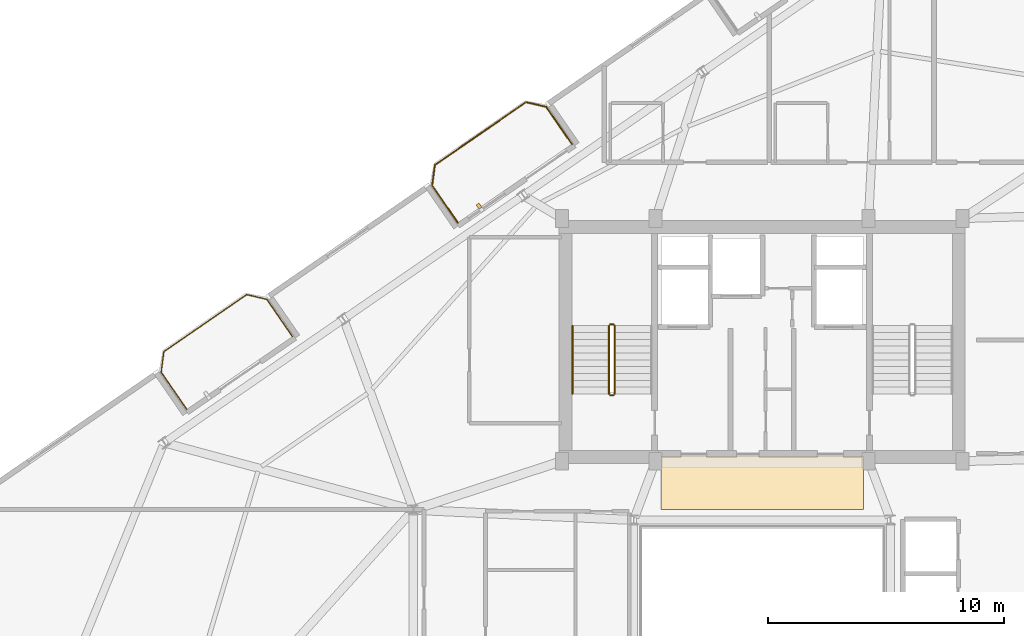
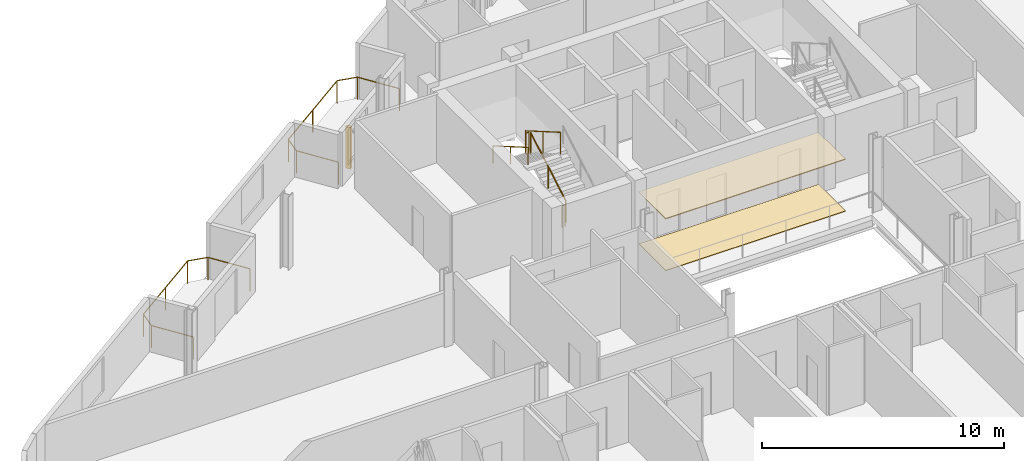
# One storey, part 21 of 22: 7 railings, 2 coverings, 1 shading device.
"""IFC4 building model written with IfcOpenShell, lengths in metres."""

from ifc_helpers import new_model, si_unit, direction, frame, origin, origin_2d, place, context, subcontext, project, spatial, rectangle, circle, extrude, source, transform, mapped, material, layer, layer_set, type_object, element, save


model = new_model("IFC4")

# Units and contexts
model_context = context("Model", 3, precision=1e-05, world=origin(), true_north=direction((0.0, 1.0)))
body_context = subcontext(model_context, "Body", "Model", "MODEL_VIEW")
ifc_project = project(units=[si_unit("LENGTHUNIT", "METRE"), si_unit("AREAUNIT", "SQUARE_METRE"), si_unit("VOLUMEUNIT", "CUBIC_METRE"), si_unit("PLANEANGLEUNIT", "RADIAN"), si_unit("MASSUNIT", "GRAM", prefix="KILO")], contexts=[model_context])

# Site, building, storey
site_placement = place(None, origin())
site = spatial("IfcSite", under=ifc_project, at=site_placement, CompositionType="ELEMENT")
building_placement = place(site_placement, origin())
building = spatial("IfcBuilding", under=site, at=building_placement, Name="Varnelok Gate Tower", CompositionType="ELEMENT")
storey_placement = place(building_placement, frame((0.0, 0.0, 280.39990234375)))
storey = spatial("IfcBuildingStorey", under=building, at=storey_placement, Name="L72", CompositionType="ELEMENT", Elevation=280.39990234375)

# Railings
ifc_material_1 = material(Name="Low-E Laminated Double Glazing IGU", Category="glass")
railing_type_1 = type_object("IfcRailingType", Name="RL-BALC-1150", PredefinedType="BALUSTRADE", material=ifc_material_1)
railing_1_placement = place(storey_placement, frame((14.781982421875, 30.944580078125, 0.0)))
element("IfcRailing", 1, at=railing_1_placement, inside=storey, type_object=railing_type_1, Name="L72 North Terrace Balustrade 4", PredefinedType="BALUSTRADE", context=body_context, shape_type="SweptSolid", body=[
    extrude(circle(Radius=0.02392578125, at=origin_2d()), frame((0.0, 0.0, 1.1259765625), z_axis=(-0.567284155424, 0.82352212296, 0.0), x_axis=(-0.82352212296, -0.567284155424, 0.0)), (0.0, 0.0, 1.0), 1.919921875),
    extrude(circle(Radius=0.02392578125, at=origin_2d()), frame((-1.089111328125, 1.5810546875, 1.1259765625), z_axis=(0.133475040405, 0.991052175008, 0.0), x_axis=(-0.991052175008, 0.133475040405, 0.0)), (0.0, 0.0, 1.0), 0.8779296875),
    extrude(circle(Radius=0.02392578125, at=origin_2d()), frame((-0.971923828125, 2.451171875, 1.1259765625), z_axis=(0.82355749358, 0.567232804735, 0.0), x_axis=(-0.567232804735, 0.82355749358, 0.0)), (0.0, 0.0, 1.0), 4.26708984375),
    extrude(circle(Radius=0.02392578125, at=origin_2d()), frame((2.542236328125, 4.87158203125, 1.1259765625), z_axis=(0.973511928193, -0.228636229993, 0.0), x_axis=(0.228636229993, 0.973511928193, 0.0)), (0.0, 0.0, 1.0), 0.877685546875),
    extrude(circle(Radius=0.02392578125, at=origin_2d()), frame((3.396728515625, 4.6708984375, 1.1259765625), z_axis=(0.567284155424, -0.82352212296, 0.0), x_axis=(0.82352212296, 0.567284155424, 0.0)), (0.0, 0.0, 1.0), 1.919921875),
    extrude(circle(Radius=0.02099609375, at=origin_2d()), origin(), (0.0, 0.0, 1.0), 1.101806640625),
    extrude(circle(Radius=0.02099609375, at=origin_2d()), frame((-1.089111328125, 1.5810546875, 0.0)), (0.0, 0.0, 1.0), 1.101806640625),
    extrude(circle(Radius=0.02099609375, at=origin_2d()), frame((-0.971923828125, 2.451171875, 0.0)), (0.0, 0.0, 1.0), 1.101806640625),
    extrude(circle(Radius=0.02099609375, at=origin_2d()), frame((0.78515625, 3.661376953125, 0.0)), (0.0, 0.0, 1.0), 1.101806640625),
    extrude(circle(Radius=0.02099609375, at=origin_2d()), frame((2.542236328125, 4.87158203125, 0.0)), (0.0, 0.0, 1.0), 1.101806640625),
    extrude(circle(Radius=0.02099609375, at=origin_2d()), frame((3.396728515625, 4.6708984375, 0.0)), (0.0, 0.0, 1.0), 1.101806640625),
    extrude(circle(Radius=0.02099609375, at=origin_2d()), frame((4.48583984375, 3.08984375, 0.0)), (0.0, 0.0, 1.0), 1.101806640625),
])
railing_2_placement = place(storey_placement, frame((26.2841796875, 38.86767578125, 0.0)))
element("IfcRailing", 2, at=railing_2_placement, inside=storey, type_object=railing_type_1, Name="L72 North Terrace Balustrade 5", PredefinedType="BALUSTRADE", context=body_context, shape_type="SweptSolid", body=[
    extrude(circle(Radius=0.02392578125, at=origin_2d()), frame((0.0, 0.0, 1.1259765625), z_axis=(-0.567197904061, 0.82358153065, 0.0), x_axis=(-0.82358153065, -0.567197904061, 0.0)), (0.0, 0.0, 1.0), 1.919677734375),
    extrude(circle(Radius=0.02392578125, at=origin_2d()), frame((-1.0888671875, 1.5810546875, 1.1259765625), z_axis=(0.133238627421, 0.991083986433, 0.0), x_axis=(-0.991083986433, 0.133238627421, 0.0)), (0.0, 0.0, 1.0), 0.877685546875),
    extrude(circle(Radius=0.02392578125, at=origin_2d()), frame((-0.971923828125, 2.450927734375, 1.1259765625), z_axis=(0.823523239622, 0.567282534371, 0.0), x_axis=(-0.567282534371, 0.823523239622, 0.0)), (0.0, 0.0, 1.0), 4.699951171875),
    extrude(circle(Radius=0.02392578125, at=origin_2d()), frame((2.898681640625, 5.1171875, 1.1259765625), z_axis=(0.973526462254, -0.228574336467, 0.0), x_axis=(0.228574336467, 0.973526462254, 0.0)), (0.0, 0.0, 1.0), 0.8779296875),
    extrude(circle(Radius=0.02392578125, at=origin_2d()), frame((3.75341796875, 4.91650390625, 1.1259765625), z_axis=(0.567284155424, -0.82352212296, 0.0), x_axis=(0.82352212296, 0.567284155424, 0.0)), (0.0, 0.0, 1.0), 1.919921875),
    extrude(circle(Radius=0.02099609375, at=origin_2d()), origin(), (0.0, 0.0, 1.0), 1.101806640625),
    extrude(circle(Radius=0.02099609375, at=origin_2d()), frame((-1.0888671875, 1.5810546875, 0.0)), (0.0, 0.0, 1.0), 1.101806640625),
    extrude(circle(Radius=0.02099609375, at=origin_2d()), frame((-0.971923828125, 2.450927734375, 0.0)), (0.0, 0.0, 1.0), 1.101806640625),
    extrude(circle(Radius=0.02099609375, at=origin_2d()), frame((0.96337890625, 3.7841796875, 0.0)), (0.0, 0.0, 1.0), 1.101806640625),
    extrude(circle(Radius=0.02099609375, at=origin_2d()), frame((2.898681640625, 5.1171875, 0.0)), (0.0, 0.0, 1.0), 1.101806640625),
    extrude(circle(Radius=0.02099609375, at=origin_2d()), frame((3.75341796875, 4.91650390625, 0.0)), (0.0, 0.0, 1.0), 1.101806640625),
    extrude(circle(Radius=0.02099609375, at=origin_2d()), frame((4.842529296875, 3.33544921875, 0.0)), (0.0, 0.0, 1.0), 1.101806640625),
])
ifc_material_2 = material(Name="Brushed Stainless Steel AISI 316", Category="steel")
railing_type_2 = type_object("IfcRailingType", Name="RL-HANDRAIL-900", PredefinedType="HANDRAIL", material=ifc_material_2)
railing_3_placement = place(storey_placement, frame((31.14990234375, 34.5, 2.018310546875)))
element("IfcRailing", 3, at=railing_3_placement, inside=storey, type_object=railing_type_2, Name="L72 ST-1 stair handrail 2", PredefinedType="HANDRAIL", context=body_context, shape_type="SweptSolid", body=[
    extrude(circle(Radius=0.02392578125, at=origin_2d()), frame((0.0, 0.0, 0.8759765625), z_axis=(0.0, -0.865038774852, 0.501705010941), x_axis=(1.0, 0.0, 0.0)), (0.0, 0.0, 1.0), 3.352294921875),
    extrude(circle(Radius=0.02099609375, at=origin_2d()), origin(), (0.0, 0.0, 1.0), 0.851806640625),
    extrude(circle(Radius=0.02099609375, at=origin_2d()), frame((0.0, -1.449951171875, 0.8408203125)), (0.0, 0.0, 1.0), 0.851806640625),
    extrude(circle(Radius=0.02099609375, at=origin_2d()), frame((0.0, -2.89990234375, 1.681884765625)), (0.0, 0.0, 1.0), 0.851806640625),
])
ifc_material_3 = material(Name="Galvanized Steel Grade S350GD", Category="steel")
railing_type_3 = type_object("IfcRailingType", Name="RL-STAIR-GUARD1120", PredefinedType="GUARDRAIL", material=ifc_material_3)
railing_4_placement = place(storey_placement, frame((32.949951171875, 31.60009765625, 0.168212890625)))
element("IfcRailing", 4, at=railing_4_placement, inside=storey, type_object=railing_type_3, Name="L72 ST-1 stair guard 1", PredefinedType="GUARDRAIL", context=body_context, shape_type="SweptSolid", body=[
    extrude(circle(Radius=0.02392578125, at=origin_2d()), frame((0.0, 0.0, 1.09619140625), z_axis=(0.0, 0.865038774852, 0.501705010941), x_axis=(-1.0, 0.0, 0.0)), (0.0, 0.0, 1.0), 3.352294921875),
    extrude(circle(Radius=0.02099609375, at=origin_2d()), origin(), (0.0, 0.0, 1.0), 1.072021484375),
    extrude(circle(Radius=0.02099609375, at=origin_2d()), frame((0.0, 1.449951171875, 0.8408203125)), (0.0, 0.0, 1.0), 1.072021484375),
    extrude(circle(Radius=0.02099609375, at=origin_2d()), frame((0.0, 2.89990234375, 1.681884765625)), (0.0, 0.0, 1.0), 1.072021484375),
])
railing_5_placement = place(storey_placement, frame((32.89990234375, 34.550048828125, 1.85009765625)))
element("IfcRailing", 5, at=railing_5_placement, inside=storey, type_object=railing_type_3, Name="L72 ST-1 stair guard 2", PredefinedType="GUARDRAIL", context=body_context, shape_type="SweptSolid", body=[
    extrude(circle(Radius=0.02392578125, at=origin_2d()), frame((0.0, 0.0, 1.09619140625), z_axis=(-1.0, 0.0, 0.0), x_axis=(0.0, -1.0, 0.0)), (0.0, 0.0, 1.0), 0.14990234375),
    extrude(circle(Radius=0.02099609375, at=origin_2d()), origin(), (0.0, 0.0, 1.0), 1.072021484375),
    extrude(circle(Radius=0.02099609375, at=origin_2d()), frame((-0.14990234375, 0.0, 0.0)), (0.0, 0.0, 1.0), 1.072021484375),
])
railing_6_placement = place(storey_placement, frame((32.699951171875, 34.5, 2.018310546875)))
element("IfcRailing", 6, at=railing_6_placement, inside=storey, type_object=railing_type_3, Name="L72 ST-1 stair guard 3", PredefinedType="GUARDRAIL", context=body_context, shape_type="SweptSolid", body=[
    extrude(circle(Radius=0.02392578125, at=origin_2d()), frame((0.0, 0.0, 1.09619140625), z_axis=(0.0, -0.865038774852, 0.501705010941), x_axis=(1.0, 0.0, 0.0)), (0.0, 0.0, 1.0), 3.352294921875),
    extrude(circle(Radius=0.02099609375, at=origin_2d()), origin(), (0.0, 0.0, 1.0), 1.072021484375),
    extrude(circle(Radius=0.02099609375, at=origin_2d()), frame((0.0, -1.449951171875, 0.8408203125)), (0.0, 0.0, 1.0), 1.072021484375),
    extrude(circle(Radius=0.02099609375, at=origin_2d()), frame((0.0, -2.89990234375, 1.681884765625)), (0.0, 0.0, 1.0), 1.072021484375),
])
railing_7_placement = place(storey_placement, frame((32.89990234375, 31.550048828125, 0.0)))
element("IfcRailing", 7, at=railing_7_placement, inside=storey, type_object=railing_type_3, Name="L72 ST-1 stair guard 4", PredefinedType="GUARDRAIL", context=body_context, shape_type="SweptSolid", body=[
    extrude(circle(Radius=0.02392578125, at=origin_2d()), frame((0.0, 0.0, 1.09619140625), z_axis=(-1.0, 0.0, 0.0), x_axis=(0.0, -1.0, 0.0)), (0.0, 0.0, 1.0), 0.14990234375),
    extrude(circle(Radius=0.02099609375, at=origin_2d()), origin(), (0.0, 0.0, 1.0), 1.072021484375),
    extrude(circle(Radius=0.02099609375, at=origin_2d()), frame((-0.14990234375, 0.0, 0.0)), (0.0, 0.0, 1.0), 1.072021484375),
])

# Shading device
ifc_material_4 = material(Name="Glazed Architectural Terracotta Ceramic", Category="masonry")
shading_device_type = type_object("IfcShadingDeviceType", Name="SHD-TERRA-BAGUETTE", PredefinedType="USERDEFINED", material=ifc_material_4)
shared_shape_1 = source(origin(), body_context, "Body", "SweptSolid", [
    extrude(rectangle(XDim=0.139892578125, YDim=0.219970703125, at=origin_2d()), origin(), (0.0, 0.0, 1.0), 2.10009765625),
])
shading_device_placement = place(storey_placement, frame((27.18359375, 39.572021484375, 0.10009765625), z_axis=(0.0, 0.0, 1.0), x_axis=(0.823532597628, 0.567268949127, 0.0)))
element("IfcShadingDevice", 8, at=shading_device_placement, inside=storey, type_object=shading_device_type, Name="L72 Terracotta Ceramic Baguette Sunscreen 5.1", ObjectType="BAGUETTE", PredefinedType="USERDEFINED", context=body_context, shape_type="MappedRepresentation", body=[
    mapped(shared_shape_1, transform((0.0, 0.0, 0.0), scale=1.0)),
])

# Coverings
ifc_material_5 = material(Name="Honed Travertine Stone Flooring", Category="masonry")
ifc_layer_1 = layer(ifc_material_5, 0.02490234375)
ifc_layer_set_1 = layer_set([ifc_layer_1], Name="Honed Travertine Stone Flooring")
covering_type_1 = type_object("IfcCoveringType", Name="COV-FLOR-STONE", PredefinedType="FLOORING", material=ifc_layer_set_1)
shared_shape_2 = source(origin(), body_context, "Body", "SweptSolid", [
    extrude(rectangle(XDim=8.60009765625, YDim=2.219970703125, at=origin_2d()), origin(), (0.0, 0.0, 1.0), 0.02490234375),
])
covering_1_placement = place(storey_placement, frame((39.199951171875, 27.800048828125, 0.000244140625), z_axis=(0.0, 0.0, 1.0), x_axis=(1.0, 0.0, 0.0)))
element("IfcCovering", 9, at=covering_1_placement, inside=storey, type_object=covering_type_1, Name="L72 Core Gallery Stone Flooring", PredefinedType="FLOORING", context=body_context, shape_type="MappedRepresentation", body=[
    mapped(shared_shape_2, transform((0.0, 0.0, 0.0), scale=1.0)),
])
ifc_material_6 = material(Name="Mineral Fiber Acoustic Ceiling Tile")
ifc_layer_2 = layer(ifc_material_6, 0.0400390625)
ifc_layer_set_2 = layer_set([ifc_layer_2], Name="Mineral Fiber Acoustic Ceiling Tile")
covering_type_2 = type_object("IfcCoveringType", Name="COV-CEIL-ACOUST", PredefinedType="CEILING", material=ifc_layer_set_2)
shared_shape_3 = source(origin(), body_context, "Body", "SweptSolid", [
    extrude(rectangle(XDim=8.60009765625, YDim=2.239990234375, at=origin_2d()), origin(), (0.0, 0.0, 1.0), 0.0400390625),
])
covering_2_placement = place(storey_placement, frame((39.199951171875, 27.820068359375, 2.60009765625), z_axis=(0.0, 0.0, 1.0), x_axis=(1.0, 0.0, 0.0)))
element("IfcCovering", 10, at=covering_2_placement, inside=storey, type_object=covering_type_2, Name="L72 Core Gallery Acoustic Ceiling", PredefinedType="CEILING", context=body_context, shape_type="MappedRepresentation", body=[
    mapped(shared_shape_3, transform((0.0, 0.0, 0.0), scale=1.0)),
])

save(model, "model.ifc")
